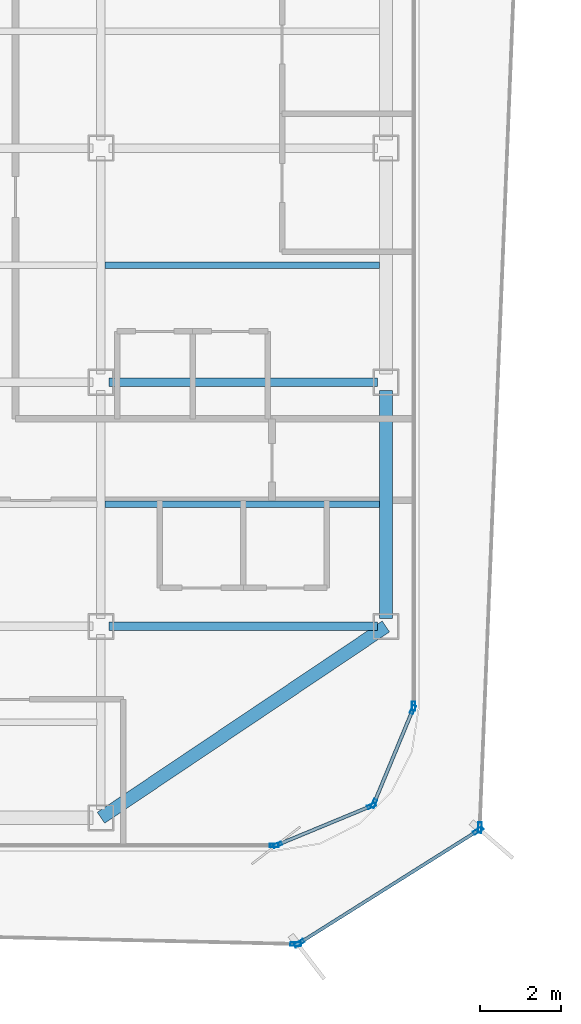
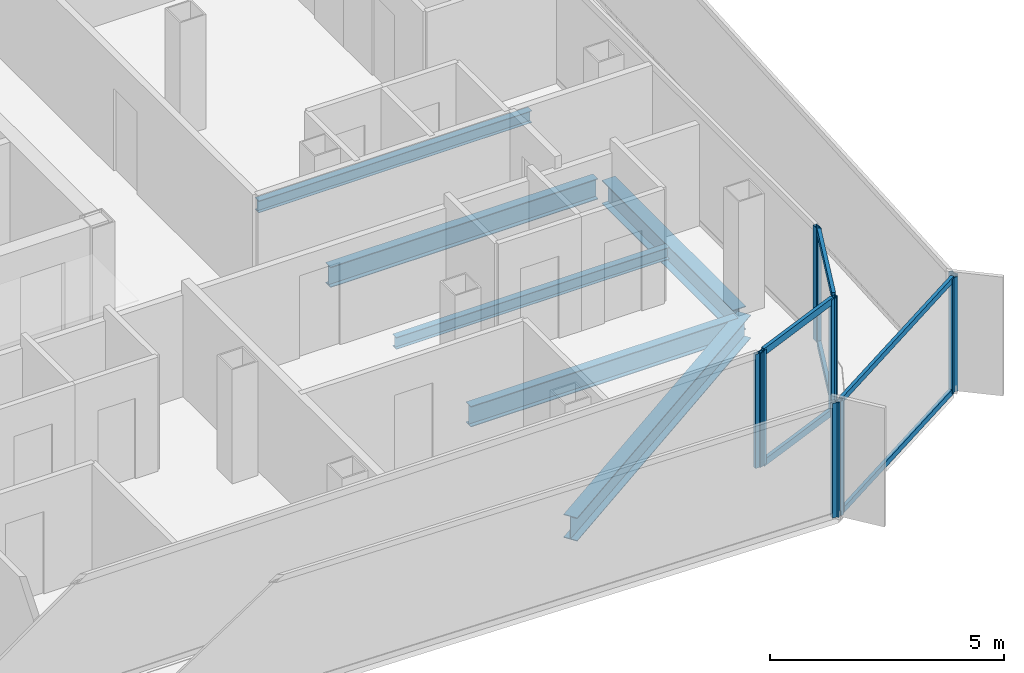
# One storey, part 4 of 15: 16 members, 6 beams, 7 elements without a shape of their own.
"""IFC4 building model written with IfcOpenShell, lengths in metres."""

from ifc_helpers import new_model, si_unit, direction, frame, origin, origin_2d, place, context, subcontext, project, spatial, hollow_rectangle, i_section, extrude, source, transform, mapped, material, layer, layer_set, material_profile, profile_set, type_object, element, aggregate, save


model = new_model("IFC4")

# Units and contexts
model_context = context("Model", 3, precision=1e-05, world=origin(), true_north=direction((0.0, 1.0)))
body_context = subcontext(model_context, "Body", "Model", "MODEL_VIEW")
ifc_project = project(units=[si_unit("LENGTHUNIT", "METRE"), si_unit("AREAUNIT", "SQUARE_METRE"), si_unit("VOLUMEUNIT", "CUBIC_METRE"), si_unit("PLANEANGLEUNIT", "RADIAN"), si_unit("MASSUNIT", "GRAM", prefix="KILO")], contexts=[model_context])

# Site, building, storey
site_placement = place(None, origin())
site = spatial("IfcSite", under=ifc_project, at=site_placement, CompositionType="ELEMENT")
building_placement = place(site_placement, origin())
building = spatial("IfcBuilding", under=site, at=building_placement, Name="Kolveth Station Tower", CompositionType="ELEMENT")
storey_placement = place(building_placement, frame((0.0, 0.0, 255.300048828125)))
storey = spatial("IfcBuildingStorey", under=building, at=storey_placement, Name="L73", CompositionType="ELEMENT", Elevation=255.300048828125)

# Beams
ifc_material_1 = material(Name="Steel S355", Category="steel")
ifc_material_profile_1 = material_profile(ifc_material_1, i_section(OverallWidth=0.323974609375, OverallDepth=0.611083984375, WebThickness=0.0126953125, FlangeThickness=0.01904296875, at=origin_2d()), Name="W610x155")
ifc_profile_set_1 = profile_set([ifc_material_profile_1], Name="Steel S355")
beam_type_1 = type_object("IfcBeamType", Name="Beam_SP2", PredefinedType="SPANDREL", material=ifc_profile_set_1)
shared_shape_1 = source(origin(), body_context, "Body", "SweptSolid", [
    extrude(i_section(OverallWidth=0.323974609375, OverallDepth=0.611083984375, WebThickness=0.0126953125, FlangeThickness=0.01904296875, at=origin_2d()), origin(), (0.0, 0.0, 1.0), 8.431396484375),
])
beam_1_placement = place(storey_placement, frame((34.0, 0.800048828125, -0.525634765625), z_axis=(0.830223811004, 0.557430196206, 0.0), x_axis=(-0.557430196206, 0.830223811004, 0.0)))
element("IfcBeam", 1, at=beam_1_placement, inside=storey, type_object=beam_type_1, Name="L73 Corner Edge Girder BM-L73-CNR-SE", PredefinedType="SPANDREL", context=body_context, shape_type="MappedRepresentation", body=[
    mapped(shared_shape_1, transform((0.0, 0.0, 0.0), x_axis=(1.0, 0.0, 0.0), y_axis=(0.0, 1.0, 0.0), z_axis=(0.0, 0.0, 1.0), scale=1.0)),
])
shared_shape_2 = source(origin(), body_context, "Body", "SweptSolid", [
    extrude(i_section(OverallWidth=0.323974609375, OverallDepth=0.611083984375, WebThickness=0.0126953125, FlangeThickness=0.01904296875, at=origin_2d()), origin(), (0.0, 0.0, 1.0), 5.60009765625),
])
beam_2_placement = place(storey_placement, frame((41.0, 5.699951171875, -0.525634765625), z_axis=(0.0, 1.0, 0.0), x_axis=(-1.0, 0.0, 0.0)))
element("IfcBeam", 2, at=beam_2_placement, inside=storey, type_object=beam_type_1, Name="L73 Perimeter Spandrel BM-L73-PE-1", PredefinedType="SPANDREL", context=body_context, shape_type="MappedRepresentation", body=[
    mapped(shared_shape_2, transform((0.0, 0.0, 0.0), x_axis=(1.0, 0.0, 0.0), y_axis=(0.0, 1.0, 0.0), z_axis=(0.0, 0.0, 1.0), scale=1.0)),
])
ifc_material_profile_2 = material_profile(ifc_material_1, i_section(OverallWidth=0.2099609375, OverallDepth=0.537109375, WebThickness=0.010986328125, FlangeThickness=0.017333984375, at=origin_2d()), Name="W530x101")
ifc_profile_set_2 = profile_set([ifc_material_profile_2], Name="Steel S355")
beam_type_2 = type_object("IfcBeamType", Name="Beam_B6", PredefinedType="BEAM", material=ifc_profile_set_2)
shared_shape_3 = source(origin(), body_context, "Body", "SweptSolid", [
    extrude(i_section(OverallWidth=0.2099609375, OverallDepth=0.537109375, WebThickness=0.010986328125, FlangeThickness=0.017333984375, at=origin_2d()), origin(), (0.0, 0.0, 1.0), 6.60009765625),
])
for number, where, z_axis, x_axis, name in (
    (3, (34.199951171875, 5.5, -0.488525390625), (1.0, 0.0, 0.0), (0.0, 1.0, 0.0), "L73 Primary Girder BM-L73-GY55-5"),
    (4, (34.199951171875, 11.5, -0.488525390625), (1.0, 0.0, 0.0), (0.0, 1.0, 0.0), "L73 Primary Girder BM-L73-GY115-5"),
):
    element("IfcBeam", number, at=place(storey_placement, frame(where, z_axis=z_axis, x_axis=x_axis)), inside=storey, type_object=beam_type_2, Name=name, PredefinedType="BEAM", context=body_context, shape_type="MappedRepresentation", body=[
        mapped(shared_shape_3, transform((0.0, 0.0, 0.0), x_axis=(1.0, 0.0, 0.0), y_axis=(0.0, 1.0, 0.0), z_axis=(0.0, 0.0, 1.0), scale=1.0)),
    ])
ifc_material_profile_3 = material_profile(ifc_material_1, i_section(OverallWidth=0.1650390625, OverallDepth=0.31005859375, WebThickness=0.005859375, FlangeThickness=0.009765625, at=origin_2d()), Name="W310x39")
ifc_profile_set_3 = profile_set([ifc_material_profile_3], Name="Steel S355")
beam_type_3 = type_object("IfcBeamType", Name="Beam_J3", PredefinedType="JOIST", material=ifc_profile_set_3)
shared_shape_4 = source(origin(), body_context, "Body", "SweptSolid", [
    extrude(i_section(OverallWidth=0.1650390625, OverallDepth=0.31005859375, WebThickness=0.005859375, FlangeThickness=0.009765625, at=origin_2d()), origin(), (0.0, 0.0, 1.0), 6.737060546875),
])
for number, where, z_axis, x_axis, name in (
    (5, (34.10302734375, 8.5, -0.375), (1.0, 0.0, 0.0), (0.0, 1.0, 0.0), "L73 Secondary Joist JST-L73-5-2"),
    (6, (34.10302734375, 14.375, -0.375), (1.0, 0.0, 0.0), (0.0, 1.0, 0.0), "L73 Secondary Joist JST-L73-5-3"),
):
    element("IfcBeam", number, at=place(storey_placement, frame(where, z_axis=z_axis, x_axis=x_axis)), inside=storey, type_object=beam_type_3, Name=name, PredefinedType="JOIST", context=body_context, shape_type="MappedRepresentation", body=[
        mapped(shared_shape_4, transform((0.0, 0.0, 0.0), x_axis=(1.0, 0.0, 0.0), y_axis=(0.0, 1.0, 0.0), z_axis=(0.0, 0.0, 1.0), scale=1.0)),
    ])

# Curtain wall, members
ifc_material_2 = material(Name="Black anodized aluminium 6063-T6 and dark solar glass", Category="aluminium")
ifc_layer_1 = layer(ifc_material_2, 0.159912109375)
ifc_layer_set_1 = layer_set([ifc_layer_1], Name="Black anodized aluminium 6063-T6 and dark solar glass")
curtain_wall_type_1 = type_object("IfcCurtainWallType", Name="OUTER SKIN CW-OS", PredefinedType="NOTDEFINED", material=ifc_layer_set_1)
curtain_wall_1_placement = place(storey_placement, origin())
curtain_wall_1 = element("IfcCurtainWall", 7, at=curtain_wall_1_placement, inside=storey, type_object=curtain_wall_type_1, Name="L73 Outer Ventilated Skin Curtain Wall 1", PredefinedType="NOTDEFINED")
ifc_material_3 = material(Name="Black anodized aluminium 6063-T6", Category="aluminium")
ifc_material_profile_4 = material_profile(ifc_material_3, hollow_rectangle(XDim=0.090087890625, YDim=0.260009765625, WallThickness=0.0048828125, at=origin_2d()), Name="ALU-90x260x5")
ifc_profile_set_4 = profile_set([ifc_material_profile_4], Name="Black anodized aluminium 6063-T6")
member_type_1 = type_object("IfcMemberType", Name="FIN MULLION ML-OS", PredefinedType="MULLION", material=ifc_profile_set_4)
shared_shape_5 = source(origin(), body_context, "Body", "SweptSolid", [
    extrude(hollow_rectangle(XDim=0.090087890625, YDim=0.260009765625, WallThickness=0.0048828125, at=origin_2d()), origin(), (0.0, 0.0, 1.0), 2.989990234375),
])
member_1_placement = place(storey_placement, frame((38.868896484375, -2.281005859375, 0.0), z_axis=(0.0, 0.0, 1.0), x_axis=(-0.532746558781, 0.846274839581, 0.0)))
member_1 = element("IfcMember", 8, at=member_1_placement, type_object=member_type_1, Name="CW-OS mullion 1", PredefinedType="MULLION", context=body_context, shape_type="MappedRepresentation", body=[
    mapped(shared_shape_5, transform((0.0, 0.0, 0.0), x_axis=(1.0, 0.0, 0.0), y_axis=(0.0, 1.0, 0.0), z_axis=(0.0, 0.0, 1.0), scale=1.0)),
])
member_2_placement = place(storey_placement, frame((43.267578125, 0.488037109375, 0.0), z_axis=(0.0, 0.0, 1.0), x_axis=(-0.532746558781, 0.846274839581, 0.0)))
member_2 = element("IfcMember", 9, at=member_2_placement, type_object=member_type_1, Name="CW-OS mullion 2", PredefinedType="MULLION", context=body_context, shape_type="MappedRepresentation", body=[
    mapped(shared_shape_5, transform((0.0, 0.0, 0.0), x_axis=(1.0, 0.0, 0.0), y_axis=(0.0, 1.0, 0.0), z_axis=(0.0, 0.0, 1.0), scale=1.0)),
])

# Curtain wall, member
curtain_wall_2_placement = place(storey_placement, origin())
curtain_wall_2 = element("IfcCurtainWall", 10, at=curtain_wall_2_placement, inside=storey, type_object=curtain_wall_type_1, Name="L73 Outer Ventilated Skin Curtain Wall 2", PredefinedType="NOTDEFINED")
member_3_placement = place(storey_placement, frame((43.3076171875, 0.556884765625, 0.0), z_axis=(0.0, 0.0, 1.0), x_axis=(-0.999174740998, 0.040618184996, 0.0)))
member_3 = element("IfcMember", 11, at=member_3_placement, type_object=member_type_1, Name="CW-OS mullion 1", PredefinedType="MULLION", context=body_context, shape_type="MappedRepresentation", body=[
    mapped(shared_shape_5, transform((0.0, 0.0, 0.0), x_axis=(1.0, 0.0, 0.0), y_axis=(0.0, 1.0, 0.0), z_axis=(0.0, 0.0, 1.0), scale=1.0)),
])
aggregate(curtain_wall_2, [member_3])

curtain_wall_3_placement = place(storey_placement, origin())
curtain_wall_3 = element("IfcCurtainWall", 12, at=curtain_wall_3_placement, inside=storey, type_object=curtain_wall_type_1, Name="L73 Outer Ventilated Skin Curtain Wall 8", PredefinedType="NOTDEFINED")
member_4_placement = place(storey_placement, frame((38.78564453125, -2.303955078125, 0.0), z_axis=(0.0, 0.0, 1.0), x_axis=(0.023011252601, 0.999735206069, 0.0)))
member_4 = element("IfcMember", 13, at=member_4_placement, type_object=member_type_1, Name="CW-OS mullion 2", PredefinedType="MULLION", context=body_context, shape_type="MappedRepresentation", body=[
    mapped(shared_shape_5, transform((0.0, 0.0, 0.0), x_axis=(1.0, 0.0, 0.0), y_axis=(0.0, 1.0, 0.0), z_axis=(0.0, 0.0, 1.0), scale=1.0)),
])
aggregate(curtain_wall_3, [member_4])

# Curtain wall, members
ifc_material_4 = material(Name="Aluminium 6063-T6 and triple low-E dark glass", Category="aluminium")
ifc_layer_2 = layer(ifc_material_4, 0.199951171875)
ifc_layer_set_2 = layer_set([ifc_layer_2], Name="Aluminium 6063-T6 and triple low-E dark glass")
curtain_wall_type_2 = type_object("IfcCurtainWallType", Name="CurtainWall_CW-Z3", PredefinedType="NOTDEFINED", material=ifc_layer_set_2)
curtain_wall_4_placement = place(storey_placement, origin())
curtain_wall_4 = element("IfcCurtainWall", 14, at=curtain_wall_4_placement, inside=storey, type_object=curtain_wall_type_2, Name="L73 Inner Thermal Curtain Wall 1", PredefinedType="NOTDEFINED")
ifc_material_profile_5 = material_profile(ifc_material_3, hollow_rectangle(XDim=0.0849609375, YDim=0.215087890625, WallThickness=0.0048828125, at=origin_2d()), Name="ALU-85x215x5")
ifc_profile_set_5 = profile_set([ifc_material_profile_5], Name="Black anodized aluminium 6063-T6")
member_type_2 = type_object("IfcMemberType", Name="Mullion_ML3", PredefinedType="MULLION", material=ifc_profile_set_5)
shared_shape_6 = source(origin(), body_context, "Body", "SweptSolid", [
    extrude(hollow_rectangle(XDim=0.0849609375, YDim=0.215087890625, WallThickness=0.0048828125, at=origin_2d()), origin(), (0.0, 0.0, 1.0), 2.97998046875),
])
member_5_placement = place(storey_placement, frame((38.33935546875, 0.13623046875, 0.0), z_axis=(0.0, 0.0, 1.0), x_axis=(-0.382693194181, 0.923875488975, 0.0)))
member_5 = element("IfcMember", 15, at=member_5_placement, type_object=member_type_2, Name="CW-Z3 mullion 1", PredefinedType="MULLION", context=body_context, shape_type="MappedRepresentation", body=[
    mapped(shared_shape_6, transform((0.0, 0.0, 0.0), x_axis=(1.0, 0.0, 0.0), y_axis=(0.0, 1.0, 0.0), z_axis=(0.0, 0.0, 1.0), scale=1.0)),
])
member_6_placement = place(storey_placement, frame((40.650634765625, 1.09375, 0.0), z_axis=(0.0, 0.0, 1.0), x_axis=(-0.382693194181, 0.923875488975, 0.0)))
member_6 = element("IfcMember", 16, at=member_6_placement, type_object=member_type_2, Name="CW-Z3 mullion 2", PredefinedType="MULLION", context=body_context, shape_type="MappedRepresentation", body=[
    mapped(shared_shape_6, transform((0.0, 0.0, 0.0), x_axis=(1.0, 0.0, 0.0), y_axis=(0.0, 1.0, 0.0), z_axis=(0.0, 0.0, 1.0), scale=1.0)),
])

curtain_wall_5_placement = place(storey_placement, origin())
curtain_wall_5 = element("IfcCurtainWall", 17, at=curtain_wall_5_placement, inside=storey, type_object=curtain_wall_type_2, Name="L73 Inner Thermal Curtain Wall 2", PredefinedType="NOTDEFINED")
member_7_placement = place(storey_placement, frame((40.706298828125, 1.149169921875, 0.0), z_axis=(0.0, 0.0, 1.0), x_axis=(-0.923875488975, 0.382693194181, 0.0)))
member_7 = element("IfcMember", 18, at=member_7_placement, type_object=member_type_2, Name="CW-Z3 mullion 1", PredefinedType="MULLION", context=body_context, shape_type="MappedRepresentation", body=[
    mapped(shared_shape_6, transform((0.0, 0.0, 0.0), x_axis=(1.0, 0.0, 0.0), y_axis=(0.0, 1.0, 0.0), z_axis=(0.0, 0.0, 1.0), scale=1.0)),
])
member_8_placement = place(storey_placement, frame((41.663818359375, 3.460693359375, 0.0), z_axis=(0.0, 0.0, 1.0), x_axis=(-0.923875488975, 0.382693194181, 0.0)))
member_8 = element("IfcMember", 19, at=member_8_placement, type_object=member_type_2, Name="CW-Z3 mullion 2", PredefinedType="MULLION", context=body_context, shape_type="MappedRepresentation", body=[
    mapped(shared_shape_6, transform((0.0, 0.0, 0.0), x_axis=(1.0, 0.0, 0.0), y_axis=(0.0, 1.0, 0.0), z_axis=(0.0, 0.0, 1.0), scale=1.0)),
])

# Curtain wall, member
curtain_wall_6_placement = place(storey_placement, origin())
curtain_wall_6 = element("IfcCurtainWall", 20, at=curtain_wall_6_placement, inside=storey, type_object=curtain_wall_type_2, Name="L73 Inner Thermal Curtain Wall 3", PredefinedType="NOTDEFINED")
member_9_placement = place(storey_placement, frame((41.679931640625, 3.54248046875, 0.0), z_axis=(0.0, 0.0, 1.0), x_axis=(-1.0, 0.0, 0.0)))
member_9 = element("IfcMember", 21, at=member_9_placement, type_object=member_type_2, Name="CW-Z3 mullion 1", PredefinedType="MULLION", context=body_context, shape_type="MappedRepresentation", body=[
    mapped(shared_shape_6, transform((0.0, 0.0, 0.0), x_axis=(1.0, 0.0, 0.0), y_axis=(0.0, 1.0, 0.0), z_axis=(0.0, 0.0, 1.0), scale=1.0)),
])
aggregate(curtain_wall_6, [member_9])

curtain_wall_7_placement = place(storey_placement, origin())
curtain_wall_7 = element("IfcCurtainWall", 22, at=curtain_wall_7_placement, inside=storey, type_object=curtain_wall_type_2, Name="L73 Inner Thermal Curtain Wall 12", PredefinedType="NOTDEFINED")
member_10_placement = place(storey_placement, frame((38.257568359375, 0.1201171875, 0.0), z_axis=(0.0, 0.0, 1.0), x_axis=(0.0, 1.0, 0.0)))
member_10 = element("IfcMember", 23, at=member_10_placement, type_object=member_type_2, Name="CW-Z3 mullion 2", PredefinedType="MULLION", context=body_context, shape_type="MappedRepresentation", body=[
    mapped(shared_shape_6, transform((0.0, 0.0, 0.0), x_axis=(1.0, 0.0, 0.0), y_axis=(0.0, 1.0, 0.0), z_axis=(0.0, 0.0, 1.0), scale=1.0)),
])
aggregate(curtain_wall_7, [member_10])

# Member
ifc_material_profile_6 = material_profile(ifc_material_3, hollow_rectangle(XDim=0.0849609375, YDim=0.179931640625, WallThickness=0.0048828125, at=origin_2d()), Name="ALU-85x180x5")
ifc_profile_set_6 = profile_set([ifc_material_profile_6], Name="Black anodized aluminium 6063-T6")
member_type_3 = type_object("IfcMemberType", Name="Transom_TR3", PredefinedType="USERDEFINED", material=ifc_profile_set_6)
shared_shape_7 = source(origin(), body_context, "Body", "SweptSolid", [
    extrude(hollow_rectangle(XDim=0.0849609375, YDim=0.179931640625, WallThickness=0.0048828125, at=origin_2d()), origin(), (0.0, 0.0, 1.0), 2.4169921875),
])
member_11_placement = place(storey_placement, frame((38.37841796875, 0.152587890625, 0.04248046875), z_axis=(0.923908507952, 0.382613471971, 0.0), x_axis=(-0.382613471971, 0.923908507952, 0.0)))
member_11 = element("IfcMember", 24, at=member_11_placement, type_object=member_type_3, Name="CW-Z3 transom 1.1", ObjectType="TRANSOM", PredefinedType="USERDEFINED", context=body_context, shape_type="MappedRepresentation", body=[
    mapped(shared_shape_7, transform((0.0, 0.0, 0.0), x_axis=(1.0, 0.0, 0.0), y_axis=(0.0, 1.0, 0.0), z_axis=(0.0, 0.0, 1.0), scale=1.0)),
])

member_12_placement = place(storey_placement, frame((38.37841796875, 0.152587890625, 2.9375), z_axis=(0.923908507952, 0.382613471971, 0.0), x_axis=(-0.382613471971, 0.923908507952, 0.0)))
member_12 = element("IfcMember", 25, at=member_12_placement, type_object=member_type_3, Name="CW-Z3 transom 1.2", ObjectType="TRANSOM", PredefinedType="USERDEFINED", context=body_context, shape_type="MappedRepresentation", body=[
    mapped(shared_shape_7, transform((0.0, 0.0, 0.0), x_axis=(1.0, 0.0, 0.0), y_axis=(0.0, 1.0, 0.0), z_axis=(0.0, 0.0, 1.0), scale=1.0)),
])

aggregate(curtain_wall_4, [member_5, member_6, member_11, member_12])

member_13_placement = place(storey_placement, frame((40.722412109375, 1.1884765625, 0.04248046875), z_axis=(0.382735401206, 0.9238580046, 0.0), x_axis=(-0.9238580046, 0.382735401206, 0.0)))
member_13 = element("IfcMember", 26, at=member_13_placement, type_object=member_type_3, Name="CW-Z3 transom 1.1", ObjectType="TRANSOM", PredefinedType="USERDEFINED", context=body_context, shape_type="MappedRepresentation", body=[
    mapped(shared_shape_7, transform((0.0, 0.0, 0.0), x_axis=(1.0, 0.0, 0.0), y_axis=(0.0, 1.0, 0.0), z_axis=(0.0, 0.0, 1.0), scale=1.0)),
])

member_14_placement = place(storey_placement, frame((40.722412109375, 1.1884765625, 2.9375), z_axis=(0.382735401206, 0.9238580046, 0.0), x_axis=(-0.9238580046, 0.382735401206, 0.0)))
member_14 = element("IfcMember", 27, at=member_14_placement, type_object=member_type_3, Name="CW-Z3 transom 1.2", ObjectType="TRANSOM", PredefinedType="USERDEFINED", context=body_context, shape_type="MappedRepresentation", body=[
    mapped(shared_shape_7, transform((0.0, 0.0, 0.0), x_axis=(1.0, 0.0, 0.0), y_axis=(0.0, 1.0, 0.0), z_axis=(0.0, 0.0, 1.0), scale=1.0)),
])

aggregate(curtain_wall_5, [member_7, member_8, member_13, member_14])

ifc_material_profile_7 = material_profile(ifc_material_3, hollow_rectangle(XDim=0.080078125, YDim=0.14990234375, WallThickness=0.0048828125, at=origin_2d()), Name="ALU-80x150x5")
ifc_profile_set_7 = profile_set([ifc_material_profile_7], Name="Black anodized aluminium 6063-T6")
member_type_4 = type_object("IfcMemberType", Name="Transom_TR-OS", PredefinedType="USERDEFINED", material=ifc_profile_set_7)
shared_shape_8 = source(origin(), body_context, "Body", "SweptSolid", [
    extrude(hollow_rectangle(XDim=0.080078125, YDim=0.14990234375, WallThickness=0.0048828125, at=origin_2d()), origin(), (0.0, 0.0, 1.0), 5.107666015625),
])
member_15_placement = place(storey_placement, frame((38.906982421875, -2.257080078125, 0.0400390625), z_axis=(0.846267161011, 0.532758756093, 0.0), x_axis=(-0.532758756093, 0.846267161011, 0.0)))
member_15 = element("IfcMember", 28, at=member_15_placement, type_object=member_type_4, Name="CW-OS transom 1.1", ObjectType="TRANSOM", PredefinedType="USERDEFINED", context=body_context, shape_type="MappedRepresentation", body=[
    mapped(shared_shape_8, transform((0.0, 0.0, 0.0), x_axis=(1.0, 0.0, 0.0), y_axis=(0.0, 1.0, 0.0), z_axis=(0.0, 0.0, 1.0), scale=1.0)),
])

member_16_placement = place(storey_placement, frame((38.906982421875, -2.257080078125, 2.949951171875), z_axis=(0.846267161011, 0.532758756093, 0.0), x_axis=(-0.532758756093, 0.846267161011, 0.0)))
member_16 = element("IfcMember", 29, at=member_16_placement, type_object=member_type_4, Name="CW-OS transom 1.2", ObjectType="TRANSOM", PredefinedType="USERDEFINED", context=body_context, shape_type="MappedRepresentation", body=[
    mapped(shared_shape_8, transform((0.0, 0.0, 0.0), x_axis=(1.0, 0.0, 0.0), y_axis=(0.0, 1.0, 0.0), z_axis=(0.0, 0.0, 1.0), scale=1.0)),
])

aggregate(curtain_wall_1, [member_1, member_2, member_15, member_16])

save(model, "model.ifc")
